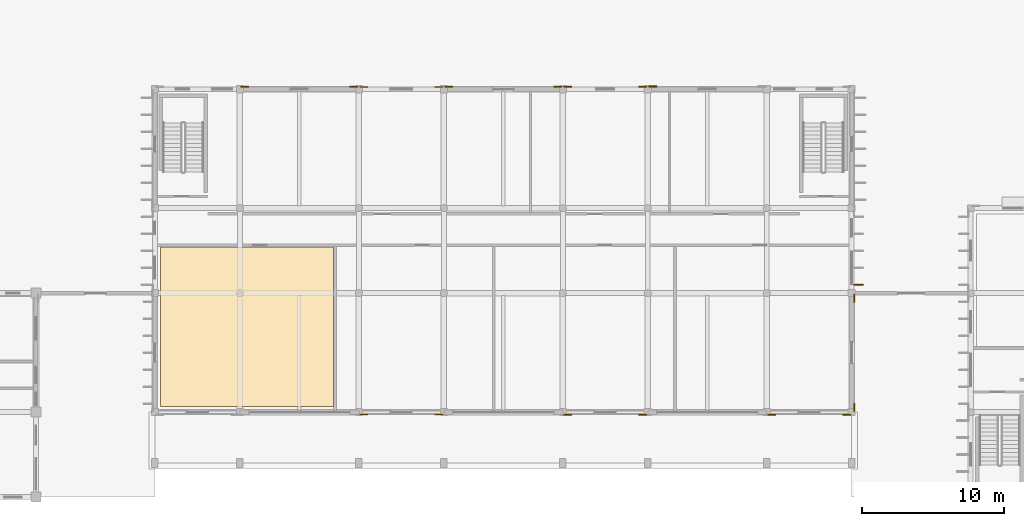
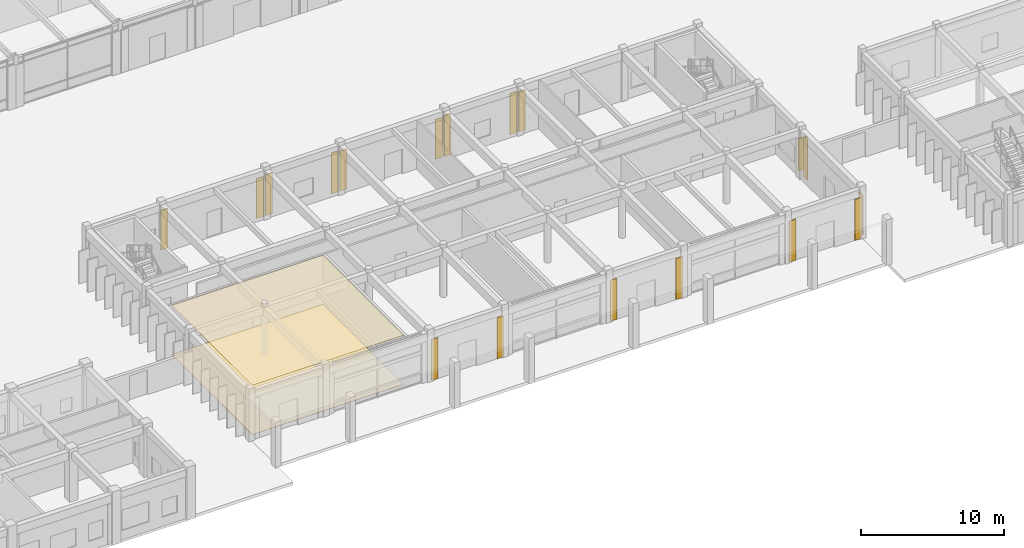
# One storey, part 55 of 67: 19 coverings, 1 shading device.
"""IFC4 building model written with IfcOpenShell, lengths in metres."""

from ifc_helpers import new_model, si_unit, direction, frame, origin, origin_2d, place, context, subcontext, project, spatial, polyline, rectangle, outline, extrude, material, layer, layer_set, type_object, element, save


model = new_model("IFC4")

# Units and contexts
model_context = context("Model", 3, precision=1e-05, world=origin(), true_north=direction((0.0, 1.0)))
body_context = subcontext(model_context, "Body", "Model", "MODEL_VIEW")
ifc_project = project(units=[si_unit("LENGTHUNIT", "METRE"), si_unit("AREAUNIT", "SQUARE_METRE"), si_unit("VOLUMEUNIT", "CUBIC_METRE"), si_unit("PLANEANGLEUNIT", "RADIAN"), si_unit("MASSUNIT", "GRAM", prefix="KILO"), si_unit("THERMODYNAMICTEMPERATUREUNIT", "KELVIN")], contexts=[model_context])

# Site, building, storey
site_placement = place(None, origin())
site = spatial("IfcSite", under=ifc_project, at=site_placement, CompositionType="ELEMENT")
building_placement = place(site_placement, origin())
building = spatial("IfcBuilding", under=site, at=building_placement, Name="Thalorik Housing Commons", CompositionType="ELEMENT")
storey_placement = place(building_placement, origin())
storey = spatial("IfcBuildingStorey", under=building, at=storey_placement, Name="L00", CompositionType="ELEMENT", Elevation=0.0)

# Coverings
ifc_material_1 = material(Name="Cobalt blue glazed ceramic facade tile panel", Category="masonry")
ifc_layer_1 = layer(ifc_material_1, 0.06005859375, Name="Cobalt blue glazed ceramic facade tile panel", Category="masonry")
ifc_layer_set_1 = layer_set([ifc_layer_1], Name="Cobalt blue glazed ceramic facade tile panel")
covering_type_1 = type_object("IfcCoveringType", Name="ARC-CLD-BLU-60", PredefinedType="CLADDING", material=ifc_layer_set_1)
for number, where, z_axis, x_axis, name in (
    (1, (94.449951171875, 37.37451171875, 0.0498046875), (0.0, 0.0, 1.0), (-1.0, 0.0, 0.0), "L00 Architectural Facade Cladding 5271"),
    (2, (86.75, 37.37451171875, 0.0498046875), (0.0, 0.0, 1.0), (-1.0, 0.0, 0.0), "L00 Architectural Facade Cladding 5272"),
):
    element("IfcCovering", number, at=place(storey_placement, frame(where, z_axis=z_axis, x_axis=x_axis)), inside=storey, type_object=covering_type_1, Name=name, PredefinedType="CLADDING", context=body_context, shape_type="SweptSolid", body=[
        extrude(rectangle(XDim=0.550048828125, YDim=0.06005859375, at=origin_2d()), origin(), (0.0, 0.0, 1.0), 3.385009765625),
    ])
for number, where, z_axis, x_axis, name in (
    (3, (86.050048828125, 37.359619140625, 0.0498046875), (0.0, 0.0, 1.0), (-1.0, 0.0, 0.0), "L00 Architectural Facade Cladding 5273"),
    (4, (80.75, 37.359619140625, 0.0498046875), (0.0, 0.0, 1.0), (-1.0, 0.0, 0.0), "L00 Architectural Facade Cladding 5274"),
):
    element("IfcCovering", number, at=place(storey_placement, frame(where, z_axis=z_axis, x_axis=x_axis)), inside=storey, type_object=covering_type_1, Name=name, PredefinedType="CLADDING", context=body_context, shape_type="SweptSolid", body=[
        extrude(rectangle(XDim=0.550048828125, YDim=0.06005859375, at=origin_2d()), origin(), (0.0, 0.0, 1.0), 3.485107421875),
    ])
ifc_material_2 = material(Name="Precast concrete C40/50", Category="concrete")
ifc_layer_2 = layer(ifc_material_2, 0.074951171875, Name="Precast concrete C40/50", Category="concrete")
ifc_layer_set_2 = layer_set([ifc_layer_2], Name="Precast concrete C40/50")
covering_type_2 = type_object("IfcCoveringType", Name="ARC-CLD-PIER-75", PredefinedType="CLADDING", material=ifc_layer_set_2)
for number, where, z_axis, x_axis, name in (
    (5, (115.382080078125, 14.75, 0.0498046875), (0.0, 0.0, 1.0), (0.0, 1.0, 0.0), "L00 Architectural Facade Cladding 5261"),
    (6, (115.382080078125, 22.449951171875, 0.0498046875), (0.0, 0.0, 1.0), (0.0, 1.0, 0.0), "L00 Architectural Facade Cladding 5262"),
    (7, (80.050048828125, 37.382080078125, 0.0498046875), (0.0, 0.0, 1.0), (-1.0, 0.0, 0.0), "L00 Architectural Facade Cladding 5275"),
    (8, (72.35009765625, 37.382080078125, 0.0498046875), (0.0, 0.0, 1.0), (-1.0, 0.0, 0.0), "L00 Architectural Facade Cladding 5276"),
):
    element("IfcCovering", number, at=place(storey_placement, frame(where, z_axis=z_axis, x_axis=x_axis)), inside=storey, type_object=covering_type_2, Name=name, PredefinedType="CLADDING", context=body_context, shape_type="SweptSolid", body=[
        extrude(rectangle(XDim=0.550048828125, YDim=0.074951171875, at=origin_2d()), origin(), (0.0, 0.0, 1.0), 3.385009765625),
    ])
ifc_layer_3 = layer(ifc_material_2, 0.090087890625, Name="Precast concrete C40/50", Category="concrete")
ifc_layer_set_3 = layer_set([ifc_layer_3], Name="Precast concrete C40/50")
covering_type_3 = type_object("IfcCoveringType", Name="ARC-CLD-PIER-90", PredefinedType="CLADDING", material=ifc_layer_set_3)
for number, where, z_axis, x_axis, name in (
    (9, (109.550048828125, 14.21044921875, 0.0498046875), (0.0, 0.0, 1.0), (1.0, 0.0, 0.0), "L00 Architectural Facade Cladding 5259"),
    (10, (114.85009765625, 14.21044921875, 0.0498046875), (0.0, 0.0, 1.0), (1.0, 0.0, 0.0), "L00 Architectural Facade Cladding 5260"),
):
    element("IfcCovering", number, at=place(storey_placement, frame(where, z_axis=z_axis, x_axis=x_axis)), inside=storey, type_object=covering_type_3, Name=name, PredefinedType="CLADDING", context=body_context, shape_type="SweptSolid", body=[
        extrude(rectangle(XDim=0.550048828125, YDim=0.090087890625, at=origin_2d()), origin(), (0.0, 0.0, 1.0), 3.485107421875),
    ])
covering_1_placement = place(storey_placement, frame((101.14990234375, 37.389404296875, 0.0498046875), z_axis=(0.0, 0.0, 1.0), x_axis=(-1.0, 0.0, 0.0)))
element("IfcCovering", 11, at=covering_1_placement, inside=storey, type_object=covering_type_3, Name="L00 Architectural Facade Cladding 5268", PredefinedType="CLADDING", context=body_context, shape_type="SweptSolid", body=[
    extrude(rectangle(XDim=0.550048828125, YDim=0.090087890625, at=origin_2d()), origin(), (0.0, 0.0, 1.0), 3.385009765625),
])
for number, where, z_axis, x_axis, name in (
    (12, (100.449951171875, 37.37451171875, 0.0498046875), (0.0, 0.0, 1.0), (-1.0, 0.0, 0.0), "L00 Architectural Facade Cladding 5269"),
    (13, (95.14990234375, 37.37451171875, 0.0498046875), (0.0, 0.0, 1.0), (-1.0, 0.0, 0.0), "L00 Architectural Facade Cladding 5270"),
):
    element("IfcCovering", number, at=place(storey_placement, frame(where, z_axis=z_axis, x_axis=x_axis)), inside=storey, type_object=covering_type_3, Name=name, PredefinedType="CLADDING", context=body_context, shape_type="SweptSolid", body=[
        extrude(rectangle(XDim=0.550048828125, YDim=0.090087890625, at=origin_2d()), origin(), (0.0, 0.0, 1.0), 3.485107421875),
    ])
ifc_material_3 = material(Name="Terracotta red mineral fibre-cement panel", Category="masonry")
ifc_layer_4 = layer(ifc_material_3, 0.054931640625, Name="Terracotta red mineral fibre-cement panel", Category="masonry")
ifc_layer_set_4 = layer_set([ifc_layer_4], Name="Terracotta red mineral fibre-cement panel")
covering_type_4 = type_object("IfcCoveringType", Name="ARC-CLD-RED-55", PredefinedType="CLADDING", material=ifc_layer_set_4)
for number, where, z_axis, x_axis, name in (
    (14, (80.75, 14.22802734375, 0.0498046875), (0.0, 0.0, 1.0), (1.0, 0.0, 0.0), "L00 Architectural Facade Cladding 5255"),
    (15, (86.050048828125, 14.22802734375, 0.0498046875), (0.0, 0.0, 1.0), (1.0, 0.0, 0.0), "L00 Architectural Facade Cladding 5256"),
):
    element("IfcCovering", number, at=place(storey_placement, frame(where, z_axis=z_axis, x_axis=x_axis)), inside=storey, type_object=covering_type_4, Name=name, PredefinedType="CLADDING", context=body_context, shape_type="SweptSolid", body=[
        extrude(rectangle(XDim=0.550048828125, YDim=0.054931640625, at=origin_2d()), origin(), (0.0, 0.0, 1.0), 3.485107421875),
    ])
ifc_material_4 = material(Name="Mineral ochre architectural terracotta panel", Category="masonry")
ifc_layer_5 = layer(ifc_material_4, 0.06494140625, Name="Mineral ochre architectural terracotta panel", Category="masonry")
ifc_layer_set_5 = layer_set([ifc_layer_5], Name="Mineral ochre architectural terracotta panel")
covering_type_5 = type_object("IfcCoveringType", Name="ARC-CLD-YEL-65", PredefinedType="CLADDING", material=ifc_layer_set_5)
for number, where, z_axis, x_axis, name in (
    (16, (95.14990234375, 14.222900390625, 0.0498046875), (0.0, 0.0, 1.0), (1.0, 0.0, 0.0), "L00 Architectural Facade Cladding 5257"),
    (17, (100.449951171875, 14.222900390625, 0.0498046875), (0.0, 0.0, 1.0), (1.0, 0.0, 0.0), "L00 Architectural Facade Cladding 5258"),
):
    element("IfcCovering", number, at=place(storey_placement, frame(where, z_axis=z_axis, x_axis=x_axis)), inside=storey, type_object=covering_type_5, Name=name, PredefinedType="CLADDING", context=body_context, shape_type="SweptSolid", body=[
        extrude(rectangle(XDim=0.550048828125, YDim=0.06494140625, at=origin_2d()), origin(), (0.0, 0.0, 1.0), 3.485107421875),
    ])
ifc_material_5 = material(Name="Mineral fibre acoustic ceiling tile")
ifc_layer_6 = layer(ifc_material_5, 0.01806640625, Name="Mineral fibre acoustic ceiling tile")
ifc_layer_set_6 = layer_set([ifc_layer_6], Name="Mineral fibre acoustic ceiling tile")
covering_type_6 = type_object("IfcCoveringType", Name="ARC-COV-CEIL-02", PredefinedType="CEILING", material=ifc_layer_set_6)
covering_2_placement = place(storey_placement, frame((0.0, 0.0, 4.181884765625)))
element("IfcCovering", 18, at=covering_2_placement, inside=storey, type_object=covering_type_6, Name="L00 Community Cafe Suspended Ceiling", PredefinedType="CEILING", context=body_context, shape_type="SweptSolid", body=[
    extrude(outline(polyline([(78.60009765625, 14.800048828125), (78.60009765625, 26.050048828125), (66.39990234375, 26.050048828125), (66.39990234375, 14.800048828125), (78.60009765625, 14.800048828125)])), origin(), (0.0, 0.0, 1.0), 0.01806640625),
])
ifc_material_6 = material(Name="Slip-resistant quarry terracotta corridor tile", Category="masonry")
ifc_layer_7 = layer(ifc_material_6, 0.01611328125, Name="Slip-resistant quarry terracotta corridor tile", Category="masonry")
ifc_layer_set_7 = layer_set([ifc_layer_7], Name="Slip-resistant quarry terracotta corridor tile")
covering_type_7 = type_object("IfcCoveringType", Name="ARC-COV-FLR-02", PredefinedType="FLOORING", material=ifc_layer_set_7)
covering_3_placement = place(storey_placement, origin())
element("IfcCovering", 19, at=covering_3_placement, inside=storey, type_object=covering_type_7, Name="L00 Community Cafe Flooring", PredefinedType="FLOORING", context=body_context, shape_type="SweptSolid", body=[
    extrude(outline(polyline([(78.60009765625, 14.800048828125), (78.60009765625, 26.050048828125), (66.39990234375, 26.050048828125), (66.39990234375, 14.800048828125), (78.60009765625, 14.800048828125)])), origin(), (0.0, 0.0, 1.0), 0.01611328125),
])

# Shading device
ifc_material_7 = material(Name="Cobalt blue anodised aluminium", Category="aluminium")
shading_device_type = type_object("IfcShadingDeviceType", Name="ARC-FIN-BLU-700", PredefinedType="USERDEFINED", material=ifc_material_7)
shading_device_placement = place(storey_placement, frame((115.677490234375, 23.39990234375, 0.1201171875), z_axis=(0.0, 0.0, 1.0), x_axis=(0.0, 1.0, 0.0)))
element("IfcShadingDevice", 20, at=shading_device_placement, inside=storey, type_object=shading_device_type, Name="L00 Vertical Precast Solar Fin 158", ObjectType="FIN", PredefinedType="USERDEFINED", context=body_context, shape_type="SweptSolid", body=[
    extrude(rectangle(XDim=0.074951171875, YDim=0.699951171875, at=origin_2d()), origin(), (0.0, 0.0, 1.0), 2.75),
])

save(model, "model.ifc")
